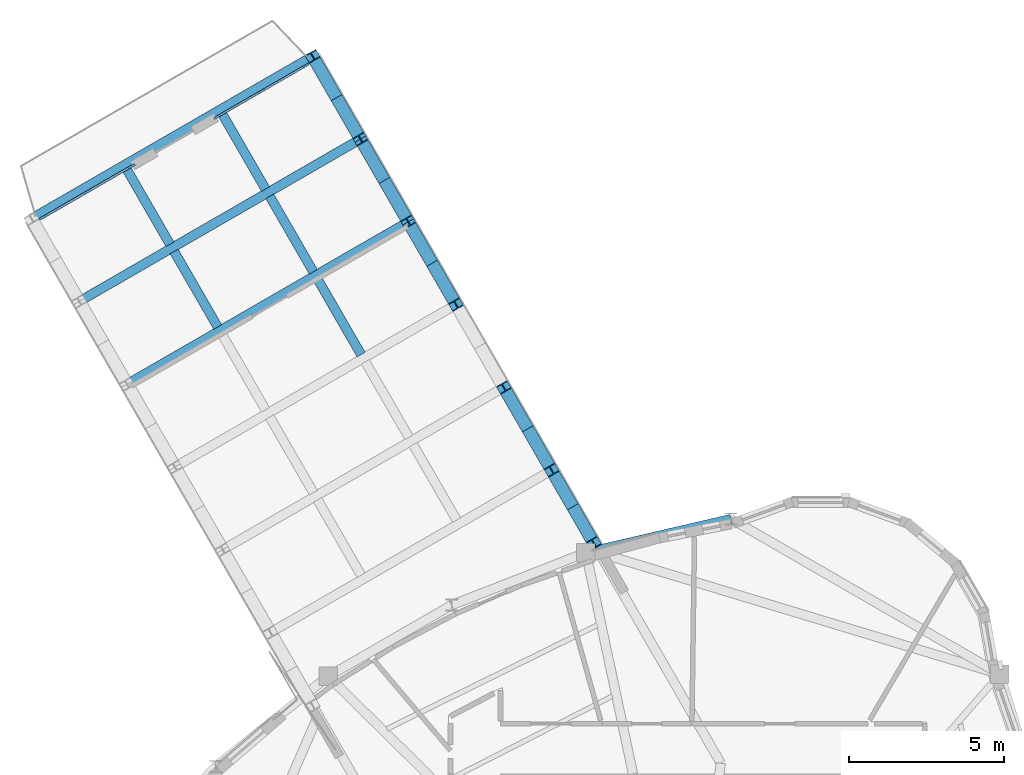
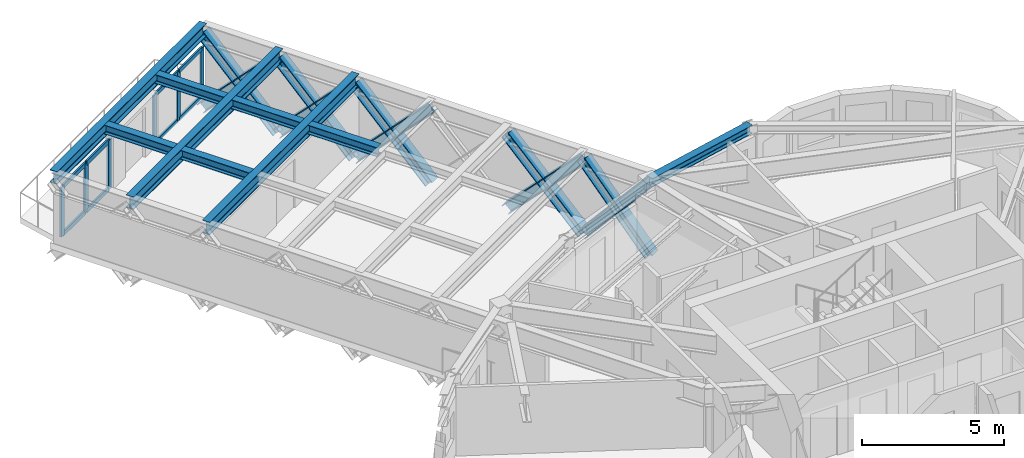
# One storey, part 3 of 14: 24 members, 9 beams, 2 elements without a shape of their own.
"""IFC4 building model written with IfcOpenShell, lengths in metres."""

from ifc_helpers import new_model, si_unit, direction, frame, origin, origin_2d, place, context, subcontext, project, spatial, rectangle, i_section, extrude, source, transform, mapped, material, layer, layer_set, material_profile, profile_set, type_object, element, aggregate, save


model = new_model("IFC4")

# Units and contexts
model_context = context("Model", 3, precision=1e-05, world=origin(), true_north=direction((0.0, 1.0)))
body_context = subcontext(model_context, "Body", "Model", "MODEL_VIEW")
ifc_project = project(units=[si_unit("LENGTHUNIT", "METRE"), si_unit("AREAUNIT", "SQUARE_METRE"), si_unit("VOLUMEUNIT", "CUBIC_METRE"), si_unit("PLANEANGLEUNIT", "RADIAN"), si_unit("MASSUNIT", "GRAM", prefix="KILO")], contexts=[model_context])

# Site, building, storey
site_placement = place(None, origin())
site = spatial("IfcSite", under=ifc_project, at=site_placement, CompositionType="ELEMENT")
building_placement = place(site_placement, origin())
building = spatial("IfcBuilding", under=site, at=building_placement, Name="Qafzar Sky-Pleat Residences", CompositionType="ELEMENT")
storey_placement = place(building_placement, frame((0.0, 0.0, 208.39990234375)))
storey = spatial("IfcBuildingStorey", under=building, at=storey_placement, Name="L62", CompositionType="ELEMENT", Elevation=208.39990234375)

# Beam
ifc_material_1 = material(Name="Steel S355", Category="steel")
ifc_material_profile_1 = material_profile(ifc_material_1, i_section(OverallWidth=0.300048828125, OverallDepth=0.360107421875, WebThickness=0.012451171875, FlangeThickness=0.0224609375, FilletRadius=0.027099609375, at=origin_2d()), Name="HEB 360")
ifc_profile_set_1 = profile_set([ifc_material_profile_1], Name="Steel S355")
beam_type_1 = type_object("IfcBeamType", Name="BM-SPAN-HEB360", PredefinedType="SPANDREL", material=ifc_profile_set_1)
shared_shape_1 = source(origin(), body_context, "Body", "SweptSolid", [
    extrude(i_section(OverallWidth=0.300048828125, OverallDepth=0.360107421875, WebThickness=0.012451171875, FlangeThickness=0.0224609375, FilletRadius=0.027099609375, at=origin_2d()), origin(), (0.0, 0.0, 1.0), 4.8173828125),
])
beam_1_placement = place(storey_placement, frame((31.75244140625, 42.54541015625, 2.753173828125), z_axis=(-0.974014007378, -0.226487777666, 0.0), x_axis=(0.226487777666, -0.974014007378, 0.0)))
element("IfcBeam", 1, at=beam_1_placement, inside=storey, type_object=beam_type_1, Name="L62 Perimeter Spandrel Beam 14", PredefinedType="SPANDREL", context=body_context, shape_type="MappedRepresentation", body=[
    mapped(shared_shape_1, transform((0.0, 0.0, 0.0), x_axis=(1.0, 0.0, 0.0), y_axis=(0.0, 1.0, 0.0), z_axis=(0.0, 0.0, 1.0), scale=1.0)),
])

# Members
ifc_material_2 = material(Name="Steel S460", Category="steel")
ifc_material_profile_2 = material_profile(ifc_material_2, i_section(OverallWidth=0.40087890625, OverallDepth=0.39892578125, WebThickness=0.02294921875, FlangeThickness=0.035888671875, FilletRadius=0.014892578125, at=origin_2d()), Name="HD 400x314")
ifc_profile_set_2 = profile_set([ifc_material_profile_2], Name="Steel S460")
member_type_1 = type_object("IfcMemberType", Name="MEM-SB-DIAG", PredefinedType="BRACE", material=ifc_profile_set_2)
shared_shape_2 = source(origin(), body_context, "Body", "SweptSolid", [
    extrude(i_section(OverallWidth=0.40087890625, OverallDepth=0.39892578125, WebThickness=0.02294921875, FlangeThickness=0.035888671875, FilletRadius=0.014892578125, at=origin_2d()), origin(), (0.0, 0.0, 1.0), 4.207275390625),
])
for number, where, z_axis, x_axis, name in (
    (2, (27.316650390625, 41.75390625, -0.6669921875), (-0.324602692917, 0.562223005304, 0.760617107392), (-0.866023343127, -0.500003569146, 0.0), "L62 SB-5 Truss Web Diagonal R1A"),
    (3, (27.316650390625, 41.75390625, 2.533203125), (-0.324602692917, 0.562223005304, -0.760617107392), (-0.866023343127, -0.500003569146, 0.0), "L62 SB-5 Truss Web Diagonal R1B"),
):
    element("IfcMember", number, at=place(storey_placement, frame(where, z_axis=z_axis, x_axis=x_axis)), inside=storey, type_object=member_type_1, Name=name, PredefinedType="BRACE", context=body_context, shape_type="MappedRepresentation", body=[
        mapped(shared_shape_2, transform((0.0, 0.0, 0.0), x_axis=(1.0, 0.0, 0.0), y_axis=(0.0, 1.0, 0.0), z_axis=(0.0, 0.0, 1.0), scale=1.0)),
    ])
shared_shape_3 = source(origin(), body_context, "Body", "SweptSolid", [
    extrude(i_section(OverallWidth=0.40087890625, OverallDepth=0.39892578125, WebThickness=0.02294921875, FlangeThickness=0.035888671875, FilletRadius=0.014892578125, at=origin_2d()), origin(), (0.0, 0.0, 1.0), 4.449462890625),
])
for number, where, z_axis, x_axis, name in (
    (4, (22.859375, 49.47412109375, -0.6669921875), (-0.347378008474, 0.601697558194, 0.719227757871), (-0.86603303137, -0.499986788401, 0.0), "L62 SB-5 Truss Web Diagonal R4A"),
    (5, (22.859375, 49.47412109375, 2.533203125), (-0.347378008474, 0.601697558194, -0.719227757871), (-0.86603303137, -0.499986788401, 0.0), "L62 SB-5 Truss Web Diagonal R4B"),
    (6, (21.313720703125, 52.1513671875, -0.6669921875), (-0.3474262553, 0.601686089012, 0.719214048401), (-0.865998834389, -0.50004601672, 0.0), "L62 SB-5 Truss Web Diagonal R5A"),
    (7, (21.313720703125, 52.1513671875, 2.533203125), (-0.3474262553, 0.601686089012, -0.719214048401), (-0.865998834389, -0.50004601672, 0.0), "L62 SB-5 Truss Web Diagonal R5B"),
):
    element("IfcMember", number, at=place(storey_placement, frame(where, z_axis=z_axis, x_axis=x_axis)), inside=storey, type_object=member_type_1, Name=name, PredefinedType="BRACE", context=body_context, shape_type="MappedRepresentation", body=[
        mapped(shared_shape_3, transform((0.0, 0.0, 0.0), x_axis=(1.0, 0.0, 0.0), y_axis=(0.0, 1.0, 0.0), z_axis=(0.0, 0.0, 1.0), scale=1.0)),
    ])

# Beams
ifc_material_profile_3 = material_profile(ifc_material_1, i_section(OverallWidth=0.300048828125, OverallDepth=0.550048828125, WebThickness=0.014892578125, FlangeThickness=0.029052734375, FilletRadius=0.027099609375, at=origin_2d()), Name="HEB 550")
ifc_profile_set_3 = profile_set([ifc_material_profile_3], Name="Steel S355")
beam_type_2 = type_object("IfcBeamType", Name="BM-GIRD-HEB550", PredefinedType="BEAM", material=ifc_profile_set_3)
shared_shape_4 = source(origin(), body_context, "Body", "SweptSolid", [
    extrude(i_section(OverallWidth=0.300048828125, OverallDepth=0.550048828125, WebThickness=0.014892578125, FlangeThickness=0.029052734375, FilletRadius=0.027099609375, at=origin_2d()), origin(), (0.0, 0.0, 1.0), 10.5),
])
for number, where, z_axis, x_axis, name in (
    (8, (12.220458984375, 46.9013671875, 2.658203125), (0.866025284237, 0.500000207062, 0.0), (-0.500000207062, 0.866025284237, 0.0), "L62 SB-5 Transverse Girder 4"),
    (9, (9.12890625, 52.256103515625, 2.658203125), (0.866025284237, 0.500000207062, 0.0), (-0.500000207062, 0.866025284237, 0.0), "L62 SB-5 Transverse Girder 6"),
):
    element("IfcBeam", number, at=place(storey_placement, frame(where, z_axis=z_axis, x_axis=x_axis)), inside=storey, type_object=beam_type_2, Name=name, PredefinedType="BEAM", context=body_context, shape_type="MappedRepresentation", body=[
        mapped(shared_shape_4, transform((0.0, 0.0, 0.0), x_axis=(1.0, 0.0, 0.0), y_axis=(0.0, 1.0, 0.0), z_axis=(0.0, 0.0, 1.0), scale=1.0)),
    ])
shared_shape_5 = source(origin(), body_context, "Body", "SweptSolid", [
    extrude(i_section(OverallWidth=0.300048828125, OverallDepth=0.550048828125, WebThickness=0.014892578125, FlangeThickness=0.029052734375, FilletRadius=0.027099609375, at=origin_2d()), origin(), (0.0, 0.0, 1.0), 10.499755859375),
])
beam_2_placement = place(storey_placement, frame((10.6748046875, 49.57861328125, 2.658203125), z_axis=(0.866019471182, 0.500010275428, 0.0), x_axis=(-0.500010275428, 0.866019471182, 0.0)))
element("IfcBeam", 10, at=beam_2_placement, inside=storey, type_object=beam_type_2, Name="L62 SB-5 Transverse Girder 5", PredefinedType="BEAM", context=body_context, shape_type="MappedRepresentation", body=[
    mapped(shared_shape_5, transform((0.0, 0.0, 0.0), x_axis=(1.0, 0.0, 0.0), y_axis=(0.0, 1.0, 0.0), z_axis=(0.0, 0.0, 1.0), scale=1.0)),
])
ifc_material_profile_4 = material_profile(ifc_material_1, i_section(OverallWidth=0.300048828125, OverallDepth=0.389892578125, WebThickness=0.010986328125, FlangeThickness=0.01904296875, FilletRadius=0.027099609375, at=origin_2d()), Name="HEA 400")
ifc_profile_set_4 = profile_set([ifc_material_profile_4], Name="Steel S355")
beam_type_3 = type_object("IfcBeamType", Name="BM-SBJ-HEA400", PredefinedType="JOIST", material=ifc_profile_set_4)
shared_shape_6 = source(origin(), body_context, "Body", "SweptSolid", [
    extrude(i_section(OverallWidth=0.300048828125, OverallDepth=0.389892578125, WebThickness=0.010986328125, FlangeThickness=0.01904296875, FilletRadius=0.027099609375, at=origin_2d()), origin(), (0.0, 0.0, 1.0), 2.821533203125),
])
for number, where, z_axis, x_axis, name in (
    (11, (19.791015625, 47.8583984375, 2.738037109375), (-0.499954647489, 0.866051586486, 0.0), (-0.866051586486, -0.499954647489, 0.0), "L62 SB-5 Sky-Bar Secondary Deck Joist 4.1"),
    (12, (16.69970703125, 53.213134765625, 2.738037109375), (-0.500057011773, 0.86599248552, 0.0), (-0.86599248552, -0.500057011773, 0.0), "L62 SB-5 Sky-Bar Secondary Deck Joist 6.1"),
    (13, (13.60791015625, 51.427978515625, 2.738037109375), (-0.499954647489, 0.866051586486, 0.0), (-0.866051586486, -0.499954647489, 0.0), "L62 SB-5 Sky-Bar Secondary Deck Joist 6.2"),
):
    element("IfcBeam", number, at=place(storey_placement, frame(where, z_axis=z_axis, x_axis=x_axis)), inside=storey, type_object=beam_type_3, Name=name, PredefinedType="JOIST", context=body_context, shape_type="MappedRepresentation", body=[
        mapped(shared_shape_6, transform((0.0, 0.0, 0.0), x_axis=(1.0, 0.0, 0.0), y_axis=(0.0, 1.0, 0.0), z_axis=(0.0, 0.0, 1.0), scale=1.0)),
    ])
shared_shape_7 = source(origin(), body_context, "Body", "SweptSolid", [
    extrude(i_section(OverallWidth=0.300048828125, OverallDepth=0.389892578125, WebThickness=0.010986328125, FlangeThickness=0.01904296875, FilletRadius=0.027099609375, at=origin_2d()), origin(), (0.0, 0.0, 1.0), 2.82177734375),
])
beam_3_placement = place(storey_placement, frame((15.15380859375, 48.750732421875, 2.738037109375), z_axis=(-0.500019542665, 0.866014120528, 0.0), x_axis=(-0.866014120528, -0.500019542665, 0.0)))
element("IfcBeam", 14, at=beam_3_placement, inside=storey, type_object=beam_type_3, Name="L62 SB-5 Sky-Bar Secondary Deck Joist 5.2", PredefinedType="JOIST", context=body_context, shape_type="MappedRepresentation", body=[
    mapped(shared_shape_7, transform((0.0, 0.0, 0.0), x_axis=(1.0, 0.0, 0.0), y_axis=(0.0, 1.0, 0.0), z_axis=(0.0, 0.0, 1.0), scale=1.0)),
])
shared_shape_8 = source(origin(), body_context, "Body", "SweptSolid", [
    extrude(i_section(OverallWidth=0.300048828125, OverallDepth=0.389892578125, WebThickness=0.010986328125, FlangeThickness=0.01904296875, FilletRadius=0.027099609375, at=origin_2d()), origin(), (0.0, 0.0, 1.0), 2.8212890625),
])
beam_4_placement = place(storey_placement, frame((18.245361328125, 50.535888671875, 2.738037109375), z_axis=(-0.499992114976, 0.866029956157, 0.0), x_axis=(-0.866029956157, -0.499992114976, 0.0)))
element("IfcBeam", 15, at=beam_4_placement, inside=storey, type_object=beam_type_3, Name="L62 SB-5 Sky-Bar Secondary Deck Joist 5.1", PredefinedType="JOIST", context=body_context, shape_type="MappedRepresentation", body=[
    mapped(shared_shape_8, transform((0.0, 0.0, 0.0), x_axis=(1.0, 0.0, 0.0), y_axis=(0.0, 1.0, 0.0), z_axis=(0.0, 0.0, 1.0), scale=1.0)),
])

# Members
shared_shape_9 = source(origin(), body_context, "Body", "SweptSolid", [
    extrude(i_section(OverallWidth=0.40087890625, OverallDepth=0.39892578125, WebThickness=0.02294921875, FlangeThickness=0.035888671875, FilletRadius=0.014892578125, at=origin_2d()), origin(), (0.0, 0.0, 1.0), 4.44970703125),
])
for number, where, z_axis, x_axis, name in (
    (16, (25.950927734375, 44.119384765625, -0.6669921875), (-0.347414785585, 0.601721091837, 0.719190304714), (-0.866018578812, -0.500011821012, 0.0), "L62 SB-5 Truss Web Diagonal R2A"),
    (17, (25.950927734375, 44.119384765625, 2.533203125), (-0.347414785585, 0.601721091837, -0.719190304714), (-0.866018578812, -0.500011821012, 0.0), "L62 SB-5 Truss Web Diagonal R2B"),
    (18, (19.767822265625, 54.82861328125, -0.6669921875), (-0.347366539915, 0.601732560929, 0.719204012826), (-0.866052771896, -0.499952594044, 0.0), "L62 SB-5 Truss Web Diagonal R6A"),
    (19, (19.767822265625, 54.82861328125, 2.533203125), (-0.347366539915, 0.601732560929, -0.719204012826), (-0.866052771896, -0.499952594044, 0.0), "L62 SB-5 Truss Web Diagonal R6B"),
):
    element("IfcMember", number, at=place(storey_placement, frame(where, z_axis=z_axis, x_axis=x_axis)), inside=storey, type_object=member_type_1, Name=name, PredefinedType="BRACE", context=body_context, shape_type="MappedRepresentation", body=[
        mapped(shared_shape_9, transform((0.0, 0.0, 0.0), x_axis=(1.0, 0.0, 0.0), y_axis=(0.0, 1.0, 0.0), z_axis=(0.0, 0.0, 1.0), scale=1.0)),
    ])

# Curtain wall, members
ifc_material_3 = material(Name="Anodised bronze aluminium framing", Category="aluminium")
ifc_layer_1 = layer(ifc_material_3, 0.239990234375)
ifc_layer_set_1 = layer_set([ifc_layer_1], Name="Anodised bronze aluminium framing")
curtain_wall_type_1 = type_object("IfcCurtainWallType", Name="CW-SYS-02", PredefinedType="NOTDEFINED", material=ifc_layer_set_1)
curtain_wall_1_placement = place(storey_placement, origin())
curtain_wall_1 = element("IfcCurtainWall", 20, at=curtain_wall_1_placement, inside=storey, type_object=curtain_wall_type_1, Name="L62 CW-02 Curtain Wall CW-L62-SB-5-PROW-L", PredefinedType="NOTDEFINED")
ifc_material_4 = material(Name="Anodised bronze aluminium", Category="aluminium")
ifc_material_profile_5 = material_profile(ifc_material_4, rectangle(XDim=0.074951171875, YDim=0.239990234375, at=origin_2d()), Name="ALU MULLION 75x240")
ifc_profile_set_5 = profile_set([ifc_material_profile_5], Name="Anodised bronze aluminium")
member_type_2 = type_object("IfcMemberType", Name="CWM-02", PredefinedType="MULLION", material=ifc_profile_set_5)
shared_shape_10 = source(origin(), body_context, "Body", "SweptSolid", [
    extrude(rectangle(XDim=0.074951171875, YDim=0.239990234375, at=origin_2d()), origin(), (0.0, 0.0, 1.0), 2.114990234375),
])
member_1_placement = place(storey_placement, frame((9.5048828125, 52.2998046875, 0.0), z_axis=(0.0, 0.0, 1.0), x_axis=(-0.499995626969, 0.866027928541, 0.0)))
member_1 = element("IfcMember", 21, at=member_1_placement, type_object=member_type_2, Name="CW-02 mullion 1", PredefinedType="MULLION", context=body_context, shape_type="MappedRepresentation", body=[
    mapped(shared_shape_10, transform((0.0, 0.0, 0.0), x_axis=(1.0, 0.0, 0.0), y_axis=(0.0, 1.0, 0.0), z_axis=(0.0, 0.0, 1.0), scale=1.0)),
])
member_2_placement = place(storey_placement, frame((10.93603515625, 53.126220703125, 0.0), z_axis=(0.0, 0.0, 1.0), x_axis=(-0.499995626969, 0.866027928541, 0.0)))
member_2 = element("IfcMember", 22, at=member_2_placement, type_object=member_type_2, Name="CW-02 mullion 2", PredefinedType="MULLION", context=body_context, shape_type="MappedRepresentation", body=[
    mapped(shared_shape_10, transform((0.0, 0.0, 0.0), x_axis=(1.0, 0.0, 0.0), y_axis=(0.0, 1.0, 0.0), z_axis=(0.0, 0.0, 1.0), scale=1.0)),
])
member_3_placement = place(storey_placement, frame((12.3671875, 53.952392578125, 0.0), z_axis=(0.0, 0.0, 1.0), x_axis=(-0.499995626969, 0.866027928541, 0.0)))
member_3 = element("IfcMember", 23, at=member_3_placement, type_object=member_type_2, Name="CW-02 mullion 3", PredefinedType="MULLION", context=body_context, shape_type="MappedRepresentation", body=[
    mapped(shared_shape_10, transform((0.0, 0.0, 0.0), x_axis=(1.0, 0.0, 0.0), y_axis=(0.0, 1.0, 0.0), z_axis=(0.0, 0.0, 1.0), scale=1.0)),
])

ifc_layer_2 = layer(ifc_material_3, 0.219970703125)
ifc_layer_set_2 = layer_set([ifc_layer_2], Name="Anodised bronze aluminium framing")
curtain_wall_type_2 = type_object("IfcCurtainWallType", Name="CW-SYS-03", PredefinedType="NOTDEFINED", material=ifc_layer_set_2)
curtain_wall_2_placement = place(storey_placement, origin())
curtain_wall_2 = element("IfcCurtainWall", 24, at=curtain_wall_2_placement, inside=storey, type_object=curtain_wall_type_2, Name="L62 CW-03 Curtain Wall CW-L62-SB-5-PROW-R", PredefinedType="NOTDEFINED")
ifc_material_profile_6 = material_profile(ifc_material_4, rectangle(XDim=0.070068359375, YDim=0.219970703125, at=origin_2d()), Name="ALU MULLION 70x220")
ifc_profile_set_6 = profile_set([ifc_material_profile_6], Name="Anodised bronze aluminium")
member_type_3 = type_object("IfcMemberType", Name="CWM-03", PredefinedType="MULLION", material=ifc_profile_set_6)
shared_shape_11 = source(origin(), body_context, "Body", "SweptSolid", [
    extrude(rectangle(XDim=0.070068359375, YDim=0.219970703125, at=origin_2d()), origin(), (0.0, 0.0, 1.0), 2.114990234375),
])
member_4_placement = place(storey_placement, frame((15.1318359375, 55.548583984375, 0.0), z_axis=(0.0, 0.0, 1.0), x_axis=(-0.499995626969, 0.866027928541, 0.0)))
member_4 = element("IfcMember", 25, at=member_4_placement, type_object=member_type_3, Name="CW-03 mullion 1", PredefinedType="MULLION", context=body_context, shape_type="MappedRepresentation", body=[
    mapped(shared_shape_11, transform((0.0, 0.0, 0.0), x_axis=(1.0, 0.0, 0.0), y_axis=(0.0, 1.0, 0.0), z_axis=(0.0, 0.0, 1.0), scale=1.0)),
])
member_5_placement = place(storey_placement, frame((16.565185546875, 56.376220703125, 0.0), z_axis=(0.0, 0.0, 1.0), x_axis=(-0.499995626969, 0.866027928541, 0.0)))
member_5 = element("IfcMember", 26, at=member_5_placement, type_object=member_type_3, Name="CW-03 mullion 2", PredefinedType="MULLION", context=body_context, shape_type="MappedRepresentation", body=[
    mapped(shared_shape_11, transform((0.0, 0.0, 0.0), x_axis=(1.0, 0.0, 0.0), y_axis=(0.0, 1.0, 0.0), z_axis=(0.0, 0.0, 1.0), scale=1.0)),
])
member_6_placement = place(storey_placement, frame((17.998291015625, 57.20361328125, 0.0), z_axis=(0.0, 0.0, 1.0), x_axis=(-0.499995626969, 0.866027928541, 0.0)))
member_6 = element("IfcMember", 27, at=member_6_placement, type_object=member_type_3, Name="CW-03 mullion 3", PredefinedType="MULLION", context=body_context, shape_type="MappedRepresentation", body=[
    mapped(shared_shape_11, transform((0.0, 0.0, 0.0), x_axis=(1.0, 0.0, 0.0), y_axis=(0.0, 1.0, 0.0), z_axis=(0.0, 0.0, 1.0), scale=1.0)),
])

# Member
ifc_material_profile_7 = material_profile(ifc_material_4, rectangle(XDim=0.074951171875, YDim=0.179931640625, at=origin_2d()), Name="ALU TRANSOM 75x180")
ifc_profile_set_7 = profile_set([ifc_material_profile_7], Name="Anodised bronze aluminium")
member_type_4 = type_object("IfcMemberType", Name="CWT-02", PredefinedType="USERDEFINED", material=ifc_profile_set_7)
shared_shape_12 = source(origin(), body_context, "Body", "SweptSolid", [
    extrude(rectangle(XDim=0.074951171875, YDim=0.179931640625, at=origin_2d()), origin(), (0.0, 0.0, 1.0), 1.57763671875),
])
member_7_placement = place(storey_placement, frame((9.537353515625, 52.318603515625, 0.03759765625), z_axis=(0.866015493058, 0.500017165488, 0.0), x_axis=(-0.500017165488, 0.866015493058, 0.0)))
member_7 = element("IfcMember", 28, at=member_7_placement, type_object=member_type_4, Name="CW-02 transom 1.1", ObjectType="TRANSOM", PredefinedType="USERDEFINED", context=body_context, shape_type="MappedRepresentation", body=[
    mapped(shared_shape_12, transform((0.0, 0.0, 0.0), x_axis=(1.0, 0.0, 0.0), y_axis=(0.0, 1.0, 0.0), z_axis=(0.0, 0.0, 1.0), scale=1.0)),
])

member_8_placement = place(storey_placement, frame((9.537353515625, 52.318603515625, 2.07763671875), z_axis=(0.866015493058, 0.500017165488, 0.0), x_axis=(-0.500017165488, 0.866015493058, 0.0)))
member_8 = element("IfcMember", 29, at=member_8_placement, type_object=member_type_4, Name="CW-02 transom 1.2", ObjectType="TRANSOM", PredefinedType="USERDEFINED", context=body_context, shape_type="MappedRepresentation", body=[
    mapped(shared_shape_12, transform((0.0, 0.0, 0.0), x_axis=(1.0, 0.0, 0.0), y_axis=(0.0, 1.0, 0.0), z_axis=(0.0, 0.0, 1.0), scale=1.0)),
])

member_9_placement = place(storey_placement, frame((10.968505859375, 53.144775390625, 0.03759765625), z_axis=(0.866015493058, 0.500017165488, 0.0), x_axis=(-0.500017165488, 0.866015493058, 0.0)))
member_9 = element("IfcMember", 30, at=member_9_placement, type_object=member_type_4, Name="CW-02 transom 2.1", ObjectType="TRANSOM", PredefinedType="USERDEFINED", context=body_context, shape_type="MappedRepresentation", body=[
    mapped(shared_shape_12, transform((0.0, 0.0, 0.0), x_axis=(1.0, 0.0, 0.0), y_axis=(0.0, 1.0, 0.0), z_axis=(0.0, 0.0, 1.0), scale=1.0)),
])

member_10_placement = place(storey_placement, frame((10.968505859375, 53.144775390625, 2.07763671875), z_axis=(0.866015493058, 0.500017165488, 0.0), x_axis=(-0.500017165488, 0.866015493058, 0.0)))
member_10 = element("IfcMember", 31, at=member_10_placement, type_object=member_type_4, Name="CW-02 transom 2.2", ObjectType="TRANSOM", PredefinedType="USERDEFINED", context=body_context, shape_type="MappedRepresentation", body=[
    mapped(shared_shape_12, transform((0.0, 0.0, 0.0), x_axis=(1.0, 0.0, 0.0), y_axis=(0.0, 1.0, 0.0), z_axis=(0.0, 0.0, 1.0), scale=1.0)),
])

aggregate(curtain_wall_1, [member_1, member_2, member_3, member_7, member_8, member_9, member_10])

ifc_material_profile_8 = material_profile(ifc_material_4, rectangle(XDim=0.070068359375, YDim=0.1650390625, at=origin_2d()), Name="ALU TRANSOM 70x165")
ifc_profile_set_8 = profile_set([ifc_material_profile_8], Name="Anodised bronze aluminium")
member_type_5 = type_object("IfcMemberType", Name="CWT-03", PredefinedType="USERDEFINED", material=ifc_profile_set_8)
shared_shape_13 = source(origin(), body_context, "Body", "SweptSolid", [
    extrude(rectangle(XDim=0.070068359375, YDim=0.1650390625, at=origin_2d()), origin(), (0.0, 0.0, 1.0), 1.5849609375),
])
member_11_placement = place(storey_placement, frame((15.162109375, 55.566162109375, 0.03515625), z_axis=(0.866016279763, 0.500015802937, 0.0), x_axis=(-0.500015802937, 0.866016279763, 0.0)))
member_11 = element("IfcMember", 32, at=member_11_placement, type_object=member_type_5, Name="CW-03 transom 1.1", ObjectType="TRANSOM", PredefinedType="USERDEFINED", context=body_context, shape_type="MappedRepresentation", body=[
    mapped(shared_shape_13, transform((0.0, 0.0, 0.0), x_axis=(1.0, 0.0, 0.0), y_axis=(0.0, 1.0, 0.0), z_axis=(0.0, 0.0, 1.0), scale=1.0)),
])

member_12_placement = place(storey_placement, frame((15.162109375, 55.566162109375, 2.080078125), z_axis=(0.866016279763, 0.500015802937, 0.0), x_axis=(-0.500015802937, 0.866016279763, 0.0)))
member_12 = element("IfcMember", 33, at=member_12_placement, type_object=member_type_5, Name="CW-03 transom 1.2", ObjectType="TRANSOM", PredefinedType="USERDEFINED", context=body_context, shape_type="MappedRepresentation", body=[
    mapped(shared_shape_13, transform((0.0, 0.0, 0.0), x_axis=(1.0, 0.0, 0.0), y_axis=(0.0, 1.0, 0.0), z_axis=(0.0, 0.0, 1.0), scale=1.0)),
])

member_13_placement = place(storey_placement, frame((16.595458984375, 56.3935546875, 0.03515625), z_axis=(0.866016279763, 0.500015802937, 0.0), x_axis=(-0.500015802937, 0.866016279763, 0.0)))
member_13 = element("IfcMember", 34, at=member_13_placement, type_object=member_type_5, Name="CW-03 transom 2.1", ObjectType="TRANSOM", PredefinedType="USERDEFINED", context=body_context, shape_type="MappedRepresentation", body=[
    mapped(shared_shape_13, transform((0.0, 0.0, 0.0), x_axis=(1.0, 0.0, 0.0), y_axis=(0.0, 1.0, 0.0), z_axis=(0.0, 0.0, 1.0), scale=1.0)),
])

member_14_placement = place(storey_placement, frame((16.595458984375, 56.3935546875, 2.080078125), z_axis=(0.866016279763, 0.500015802937, 0.0), x_axis=(-0.500015802937, 0.866016279763, 0.0)))
member_14 = element("IfcMember", 35, at=member_14_placement, type_object=member_type_5, Name="CW-03 transom 2.2", ObjectType="TRANSOM", PredefinedType="USERDEFINED", context=body_context, shape_type="MappedRepresentation", body=[
    mapped(shared_shape_13, transform((0.0, 0.0, 0.0), x_axis=(1.0, 0.0, 0.0), y_axis=(0.0, 1.0, 0.0), z_axis=(0.0, 0.0, 1.0), scale=1.0)),
])

aggregate(curtain_wall_2, [member_4, member_5, member_6, member_11, member_12, member_13, member_14])

save(model, "model.ifc")
